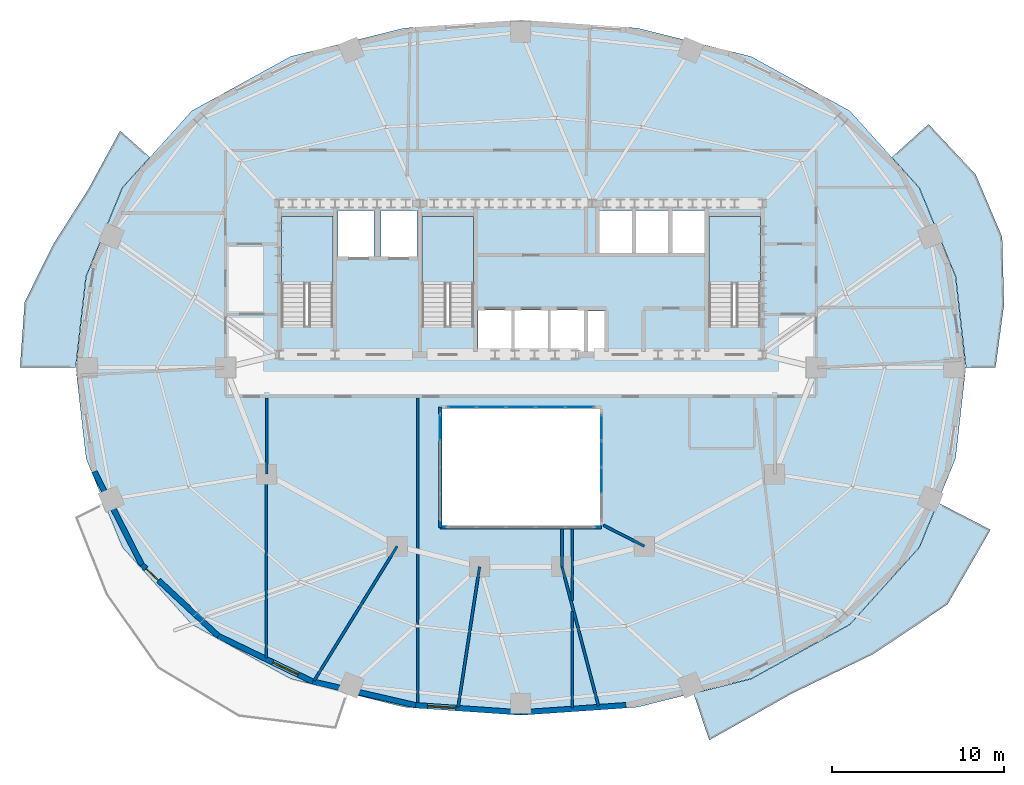
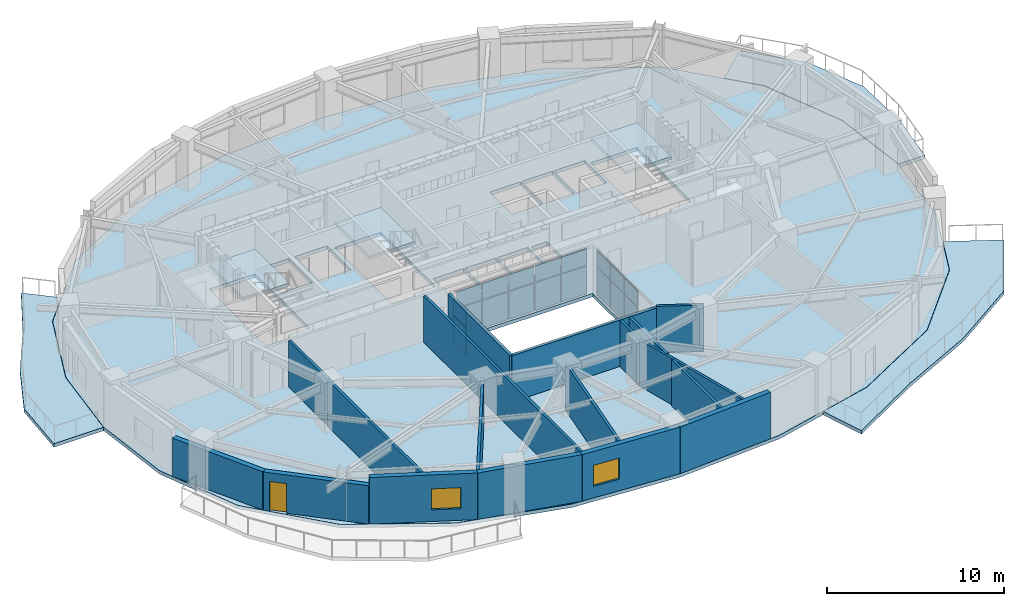
# One storey, part 5 of 11: 18 plates, 18 walls, 7 slabs, 2 windows, 1 door, 3 openings, 6 elements without a shape of their own.
"""IFC4 building model written with IfcOpenShell, lengths in metres."""

from ifc_helpers import new_model, si_unit, direction, frame, frame_2d, origin, origin_2d, place, context, subcontext, project, spatial, polyline, rectangle, outline, extrude, material, layer, layer_set, type_object, element, fill, aggregate, save


model = new_model("IFC4")

# Units and contexts
model_context = context("Model", 3, precision=1e-05, world=origin(), true_north=direction((0.0, 1.0)))
body_context = subcontext(model_context, "Body", "Model", "MODEL_VIEW")
ifc_project = project(units=[si_unit("LENGTHUNIT", "METRE"), si_unit("AREAUNIT", "SQUARE_METRE"), si_unit("VOLUMEUNIT", "CUBIC_METRE"), si_unit("PLANEANGLEUNIT", "RADIAN"), si_unit("MASSUNIT", "GRAM", prefix="KILO")], contexts=[model_context])

# Site, building, storey
site_placement = place(None, origin())
site = spatial("IfcSite", under=ifc_project, at=site_placement, CompositionType="ELEMENT")
building_placement = place(site_placement, origin())
building = spatial("IfcBuilding", under=site, at=building_placement, Name="Haldorwick Loom Tower", CompositionType="ELEMENT")
storey_placement = place(building_placement, frame((0.0, 0.0, 164.800048828125)))
storey = spatial("IfcBuildingStorey", under=building, at=storey_placement, Name="L44", CompositionType="ELEMENT", Elevation=164.800048828125)

# Curtain wall, plates
ifc_material_1 = material(Name="Thermally Broken Anodized Aluminium Curtain Wall Framing", Category="aluminium")
curtain_wall_type = type_object("IfcCurtainWallType", Name="ARC-CW-03", PredefinedType="NOTDEFINED", material=ifc_material_1)
curtain_wall_1_placement = place(storey_placement, origin())
curtain_wall_1 = element("IfcCurtainWall", 1, at=curtain_wall_1_placement, inside=storey, type_object=curtain_wall_type, Name="L44 Atrium Glazed Screen N", PredefinedType="NOTDEFINED")
ifc_material_2 = material(Name="Triple-Glazed Low-E Argon Insulated Glazing Unit", Category="glass")
ifc_layer_1 = layer(ifc_material_2, 0.04296875, Name="Triple-Glazed Low-E Argon Insulated Glazing Unit", Category="glass")
ifc_layer_set_1 = layer_set([ifc_layer_1], Name="Triple-Glazed Low-E Argon Insulated Glazing Unit")
plate_type = type_object("IfcPlateType", Name="ARC-CWP-03", PredefinedType="CURTAIN_PANEL", material=ifc_layer_set_1)
plate_1_placement = place(storey_placement, frame((32.576416015625, 23.699951171875, 0.06591796875), z_axis=(0.0, 0.0, 1.0), x_axis=(1.0, 0.0, 0.0)))
plate_1 = element("IfcPlate", 2, at=plate_1_placement, type_object=plate_type, Name="CW-03 panel 1.1", PredefinedType="CURTAIN_PANEL", context=body_context, shape_type="SweptSolid", body=[
    extrude(rectangle(XDim=1.62109375, YDim=0.04296875, at=origin_2d()), origin(), (0.0, 0.0, 1.0), 1.90087890625),
])
plate_2_placement = place(storey_placement, frame((32.576416015625, 23.699951171875, 2.03271484375), z_axis=(0.0, 0.0, 1.0), x_axis=(1.0, 0.0, 0.0)))
plate_2 = element("IfcPlate", 3, at=plate_2_placement, type_object=plate_type, Name="CW-03 panel 1.2", PredefinedType="CURTAIN_PANEL", context=body_context, shape_type="SweptSolid", body=[
    extrude(rectangle(XDim=1.62109375, YDim=0.04296875, at=origin_2d()), origin(), (0.0, 0.0, 1.0), 1.111083984375),
])
plate_3_placement = place(storey_placement, frame((34.280029296875, 23.699951171875, 0.06591796875), z_axis=(0.0, 0.0, 1.0), x_axis=(1.0, 0.0, 0.0)))
plate_3 = element("IfcPlate", 4, at=plate_3_placement, type_object=plate_type, Name="CW-03 panel 2.1", PredefinedType="CURTAIN_PANEL", context=body_context, shape_type="SweptSolid", body=[
    extrude(rectangle(XDim=1.654052734375, YDim=0.04296875, at=origin_2d()), origin(), (0.0, 0.0, 1.0), 1.90087890625),
])
plate_4_placement = place(storey_placement, frame((34.280029296875, 23.699951171875, 2.03271484375), z_axis=(0.0, 0.0, 1.0), x_axis=(1.0, 0.0, 0.0)))
plate_4 = element("IfcPlate", 5, at=plate_4_placement, type_object=plate_type, Name="CW-03 panel 2.2", PredefinedType="CURTAIN_PANEL", context=body_context, shape_type="SweptSolid", body=[
    extrude(rectangle(XDim=1.654052734375, YDim=0.04296875, at=origin_2d()), origin(), (0.0, 0.0, 1.0), 1.111083984375),
])
plate_5_placement = place(storey_placement, frame((36.0, 23.699951171875, 0.06591796875), z_axis=(0.0, 0.0, 1.0), x_axis=(1.0, 0.0, 0.0)))
plate_5 = element("IfcPlate", 6, at=plate_5_placement, type_object=plate_type, Name="CW-03 panel 3.1", PredefinedType="CURTAIN_PANEL", context=body_context, shape_type="SweptSolid", body=[
    extrude(rectangle(XDim=1.654052734375, YDim=0.04296875, at=origin_2d()), origin(), (0.0, 0.0, 1.0), 1.90087890625),
])
plate_6_placement = place(storey_placement, frame((36.0, 23.699951171875, 2.03271484375), z_axis=(0.0, 0.0, 1.0), x_axis=(1.0, 0.0, 0.0)))
plate_6 = element("IfcPlate", 7, at=plate_6_placement, type_object=plate_type, Name="CW-03 panel 3.2", PredefinedType="CURTAIN_PANEL", context=body_context, shape_type="SweptSolid", body=[
    extrude(rectangle(XDim=1.654052734375, YDim=0.04296875, at=origin_2d()), origin(), (0.0, 0.0, 1.0), 1.111083984375),
])
plate_7_placement = place(storey_placement, frame((37.719970703125, 23.699951171875, 0.06591796875), z_axis=(0.0, 0.0, 1.0), x_axis=(1.0, 0.0, 0.0)))
plate_7 = element("IfcPlate", 8, at=plate_7_placement, type_object=plate_type, Name="CW-03 panel 4.1", PredefinedType="CURTAIN_PANEL", context=body_context, shape_type="SweptSolid", body=[
    extrude(rectangle(XDim=1.654052734375, YDim=0.04296875, at=origin_2d()), origin(), (0.0, 0.0, 1.0), 1.90087890625),
])
plate_8_placement = place(storey_placement, frame((37.719970703125, 23.699951171875, 2.03271484375), z_axis=(0.0, 0.0, 1.0), x_axis=(1.0, 0.0, 0.0)))
plate_8 = element("IfcPlate", 9, at=plate_8_placement, type_object=plate_type, Name="CW-03 panel 4.2", PredefinedType="CURTAIN_PANEL", context=body_context, shape_type="SweptSolid", body=[
    extrude(rectangle(XDim=1.654052734375, YDim=0.04296875, at=origin_2d()), origin(), (0.0, 0.0, 1.0), 1.111083984375),
])
plate_9_placement = place(storey_placement, frame((39.423583984375, 23.699951171875, 0.06591796875), z_axis=(0.0, 0.0, 1.0), x_axis=(1.0, 0.0, 0.0)))
plate_9 = element("IfcPlate", 10, at=plate_9_placement, type_object=plate_type, Name="CW-03 panel 5.1", PredefinedType="CURTAIN_PANEL", context=body_context, shape_type="SweptSolid", body=[
    extrude(rectangle(XDim=1.62109375, YDim=0.04296875, at=origin_2d()), origin(), (0.0, 0.0, 1.0), 1.90087890625),
])
plate_10_placement = place(storey_placement, frame((39.423583984375, 23.699951171875, 2.03271484375), z_axis=(0.0, 0.0, 1.0), x_axis=(1.0, 0.0, 0.0)))
plate_10 = element("IfcPlate", 11, at=plate_10_placement, type_object=plate_type, Name="CW-03 panel 5.2", PredefinedType="CURTAIN_PANEL", context=body_context, shape_type="SweptSolid", body=[
    extrude(rectangle(XDim=1.62109375, YDim=0.04296875, at=origin_2d()), origin(), (0.0, 0.0, 1.0), 1.111083984375),
])
aggregate(curtain_wall_1, [plate_1, plate_2, plate_3, plate_4, plate_5, plate_6, plate_7, plate_8, plate_9, plate_10])

curtain_wall_2_placement = place(storey_placement, origin())
curtain_wall_2 = element("IfcCurtainWall", 12, at=curtain_wall_2_placement, inside=storey, type_object=curtain_wall_type, Name="L44 Atrium Glazed Screen W", PredefinedType="NOTDEFINED")
plate_11_placement = place(storey_placement, frame((31.300048828125, 22.508544921875, 0.06591796875), z_axis=(0.0, 0.0, 1.0), x_axis=(0.0, 1.0, 0.0)))
plate_11 = element("IfcPlate", 13, at=plate_11_placement, type_object=plate_type, Name="CW-03 panel 4.1", PredefinedType="CURTAIN_PANEL", context=body_context, shape_type="SweptSolid", body=[
    extrude(rectangle(XDim=1.450927734375, YDim=0.04296875, at=origin_2d()), origin(), (0.0, 0.0, 1.0), 1.90087890625),
])
plate_12_placement = place(storey_placement, frame((31.300048828125, 22.508544921875, 2.03271484375), z_axis=(0.0, 0.0, 1.0), x_axis=(0.0, 1.0, 0.0)))
plate_12 = element("IfcPlate", 14, at=plate_12_placement, type_object=plate_type, Name="CW-03 panel 4.2", PredefinedType="CURTAIN_PANEL", context=body_context, shape_type="SweptSolid", body=[
    extrude(rectangle(XDim=1.450927734375, YDim=0.04296875, at=origin_2d()), origin(), (0.0, 0.0, 1.0), 1.111083984375),
])
aggregate(curtain_wall_2, [plate_11, plate_12])

curtain_wall_3_placement = place(storey_placement, origin())
curtain_wall_3 = element("IfcCurtainWall", 15, at=curtain_wall_3_placement, inside=storey, type_object=curtain_wall_type, Name="L44 Atrium Glazed Screen E", PredefinedType="NOTDEFINED")
plate_13_placement = place(storey_placement, frame((40.699951171875, 22.508544921875, 0.06591796875), z_axis=(0.0, 0.0, 1.0), x_axis=(0.0, -1.0, 0.0)))
plate_13 = element("IfcPlate", 16, at=plate_13_placement, type_object=plate_type, Name="CW-03 panel 1.1", PredefinedType="CURTAIN_PANEL", context=body_context, shape_type="SweptSolid", body=[
    extrude(rectangle(XDim=1.450927734375, YDim=0.04296875, at=origin_2d()), origin(), (0.0, 0.0, 1.0), 1.90087890625),
])
plate_14_placement = place(storey_placement, frame((40.699951171875, 22.508544921875, 2.03271484375), z_axis=(0.0, 0.0, 1.0), x_axis=(0.0, -1.0, 0.0)))
plate_14 = element("IfcPlate", 17, at=plate_14_placement, type_object=plate_type, Name="CW-03 panel 1.2", PredefinedType="CURTAIN_PANEL", context=body_context, shape_type="SweptSolid", body=[
    extrude(rectangle(XDim=1.450927734375, YDim=0.04296875, at=origin_2d()), origin(), (0.0, 0.0, 1.0), 1.111083984375),
])
plate_15_placement = place(storey_placement, frame((40.699951171875, 20.97509765625, 0.06591796875), z_axis=(0.0, 0.0, 1.0), x_axis=(0.0, -1.0, 0.0)))
plate_15 = element("IfcPlate", 18, at=plate_15_placement, type_object=plate_type, Name="CW-03 panel 2.1", PredefinedType="CURTAIN_PANEL", context=body_context, shape_type="SweptSolid", body=[
    extrude(rectangle(XDim=1.48388671875, YDim=0.04296875, at=origin_2d()), origin(), (0.0, 0.0, 1.0), 1.90087890625),
])
plate_16_placement = place(storey_placement, frame((40.699951171875, 20.97509765625, 2.03271484375), z_axis=(0.0, 0.0, 1.0), x_axis=(0.0, -1.0, 0.0)))
plate_16 = element("IfcPlate", 19, at=plate_16_placement, type_object=plate_type, Name="CW-03 panel 2.2", PredefinedType="CURTAIN_PANEL", context=body_context, shape_type="SweptSolid", body=[
    extrude(rectangle(XDim=1.48388671875, YDim=0.04296875, at=origin_2d()), origin(), (0.0, 0.0, 1.0), 1.111083984375),
])
plate_17_placement = place(storey_placement, frame((40.699951171875, 19.425048828125, 0.06591796875), z_axis=(0.0, 0.0, 1.0), x_axis=(0.0, -1.0, 0.0)))
plate_17 = element("IfcPlate", 20, at=plate_17_placement, type_object=plate_type, Name="CW-03 panel 3.1", PredefinedType="CURTAIN_PANEL", context=body_context, shape_type="SweptSolid", body=[
    extrude(rectangle(XDim=1.48388671875, YDim=0.04296875, at=origin_2d()), origin(), (0.0, 0.0, 1.0), 1.90087890625),
])
plate_18_placement = place(storey_placement, frame((40.699951171875, 19.425048828125, 2.03271484375), z_axis=(0.0, 0.0, 1.0), x_axis=(0.0, -1.0, 0.0)))
plate_18 = element("IfcPlate", 21, at=plate_18_placement, type_object=plate_type, Name="CW-03 panel 3.2", PredefinedType="CURTAIN_PANEL", context=body_context, shape_type="SweptSolid", body=[
    extrude(rectangle(XDim=1.48388671875, YDim=0.04296875, at=origin_2d()), origin(), (0.0, 0.0, 1.0), 1.111083984375),
])
aggregate(curtain_wall_3, [plate_13, plate_14, plate_15, plate_16, plate_17, plate_18])

# Slabs
ifc_material_3 = material(Name="Concrete C40 (40 MPa)", Category="concrete")
ifc_layer_2 = layer(ifc_material_3, 0.239990234375, Name="Concrete C40 (40 MPa)", Category="concrete")
ifc_layer_set_2 = layer_set([ifc_layer_2], Name="Concrete C40 (40 MPa)")
slab_type_1 = type_object("IfcSlabType", Name="STR-SLB-BAL240", PredefinedType="FLOOR", material=ifc_layer_set_2)
slab_1_placement = place(storey_placement, frame((0.0, 0.0, -0.239990234375)))
element("IfcSlab", 22, at=slab_1_placement, inside=storey, type_object=slab_type_1, Name="L44 Sinusoidal Balcony Terrace BAL_SE", PredefinedType="FLOOR", context=body_context, shape_type="SweptSolid", body=[
    extrude(outline(polyline([(60.2841796875, 18.141357421875), (59.216064453125, 15.530517578125), (59.21533203125, 15.529296875), (59.21484375, 15.528076171875), (59.214111328125, 15.527099609375), (59.213134765625, 15.526123046875), (55.16162109375, 11.031005859375), (55.16064453125, 11.02978515625), (55.1591796875, 11.028564453125), (55.15771484375, 11.02783203125), (49.40283203125, 7.863037109375), (49.40185546875, 7.8623046875), (49.400634765625, 7.86181640625), (49.3994140625, 7.861572265625), (46.0595703125, 7.02783203125), (46.9736328125, 4.302490234375), (51.74560546875, 7.0), (56.504150390625, 9.30810546875), (60.846435546875, 12.208251953125), (63.35400390625, 16.555908203125), (60.2841796875, 18.141357421875)])), origin(), (0.0, 0.0, 1.0), 0.239990234375),
])
slab_2_placement = place(storey_placement, frame((0.0, 0.0, -0.239990234375)))
element("IfcSlab", 23, at=slab_2_placement, inside=storey, type_object=slab_type_1, Name="L44 Sinusoidal Balcony Terrace BAL_WNW", PredefinedType="FLOOR", context=body_context, shape_type="SweptSolid", body=[
    extrude(outline(polyline([(10.068115234375, 26.0), (10.068115234375, 26.001708984375), (10.669677734375, 31.30029296875), (10.669921875, 31.3017578125), (10.670166015625, 31.302978515625), (10.670654296875, 31.30419921875), (12.783935546875, 36.469482421875), (12.78466796875, 36.470703125), (12.78515625, 36.4716796875), (12.785888671875, 36.472900390625), (12.786865234375, 36.473876953125), (14.389892578125, 38.25244140625), (12.66259765625, 39.794677734375), (10.810791015625, 36.3857421875), (8.81103515625, 33.25048828125), (7.10693359375, 29.826416015625), (6.8330078125, 26.0), (10.068115234375, 26.0)])), origin(), (0.0, 0.0, 1.0), 0.239990234375),
])
slab_3_placement = place(storey_placement, frame((0.0, 0.0, -0.239990234375)))
element("IfcSlab", 24, at=slab_3_placement, inside=storey, type_object=slab_type_1, Name="L44 Sinusoidal Balcony Terrace BAL_ENE", PredefinedType="FLOOR", context=body_context, shape_type="SweptSolid", body=[
    extrude(outline(polyline([(57.60986328125, 38.2529296875), (59.213134765625, 36.473876953125), (59.214111328125, 36.472900390625), (59.21484375, 36.4716796875), (59.21533203125, 36.470703125), (59.216064453125, 36.469482421875), (61.329345703125, 31.30419921875), (61.329833984375, 31.302978515625), (61.330078125, 31.3017578125), (61.330322265625, 31.30029296875), (61.931884765625, 26.001708984375), (61.931884765625, 26.0), (63.6435546875, 26.0), (64.139892578125, 29.673583984375), (64.032470703125, 33.601318359375), (62.494384765625, 37.237060546875), (59.746337890625, 40.1748046875), (57.60986328125, 38.2529296875)])), origin(), (0.0, 0.0, 1.0), 0.239990234375),
])

# Stair, slab
stair_type = type_object("IfcStairType", Name="STR-STR-CORE", PredefinedType="HALF_TURN_STAIR", material=ifc_material_3)
stair_1_placement = place(storey_placement, origin())
stair_1 = element("IfcStair", 25, at=stair_1_placement, inside=storey, type_object=stair_type, Name="L44 Exit Stair ST-01", PredefinedType="HALF_TURN_STAIR")
ifc_layer_3 = layer(ifc_material_3, 0.199951171875, Name="Concrete C40 (40 MPa)", Category="concrete")
ifc_layer_set_3 = layer_set([ifc_layer_3], Name="Concrete C40 (40 MPa)")
slab_type_2 = type_object("IfcSlabType", Name="STR-SLB-LAND200", PredefinedType="LANDING", material=ifc_layer_set_3)
slab_4_placement = place(storey_placement, frame((0.0, 0.0, 1.52490234375)))
slab_4 = element("IfcSlab", 26, at=slab_4_placement, type_object=slab_type_2, Name="ST-01 landing 1", PredefinedType="LANDING", context=body_context, shape_type="SweptSolid", body=[
    extrude(outline(polyline([(25.050048828125, 30.919921875), (25.050048828125, 34.800048828125), (22.050048828125, 34.800048828125), (22.050048828125, 30.919921875), (25.050048828125, 30.919921875)])), origin(), (0.0, 0.0, 1.0), 0.199951171875),
])
aggregate(stair_1, [slab_4])

stair_2_placement = place(storey_placement, origin())
stair_2 = element("IfcStair", 27, at=stair_2_placement, inside=storey, type_object=stair_type, Name="L44 Exit Stair ST-02", PredefinedType="HALF_TURN_STAIR")
slab_5_placement = place(storey_placement, frame((0.0, 0.0, 1.52490234375)))
slab_5 = element("IfcSlab", 28, at=slab_5_placement, type_object=slab_type_2, Name="ST-02 landing 1", PredefinedType="LANDING", context=body_context, shape_type="SweptSolid", body=[
    extrude(outline(polyline([(49.949951171875, 30.919921875), (49.949951171875, 34.800048828125), (46.949951171875, 34.800048828125), (46.949951171875, 30.919921875), (49.949951171875, 30.919921875)])), origin(), (0.0, 0.0, 1.0), 0.199951171875),
])
aggregate(stair_2, [slab_5])

stair_3_placement = place(storey_placement, origin())
stair_3 = element("IfcStair", 29, at=stair_3_placement, inside=storey, type_object=stair_type, Name="L44 Exit Stair ST-03", PredefinedType="HALF_TURN_STAIR")
slab_6_placement = place(storey_placement, frame((0.0, 0.0, 1.52490234375)))
slab_6 = element("IfcSlab", 30, at=slab_6_placement, type_object=slab_type_2, Name="ST-03 landing 1", PredefinedType="LANDING", context=body_context, shape_type="SweptSolid", body=[
    extrude(outline(polyline([(33.25, 30.919921875), (33.25, 34.800048828125), (30.25, 34.800048828125), (30.25, 30.919921875), (33.25, 30.919921875)])), origin(), (0.0, 0.0, 1.0), 0.199951171875),
])
aggregate(stair_3, [slab_6])

# Slab
ifc_layer_4 = layer(ifc_material_3, 0.239990234375, Name="Concrete C40 (40 MPa)", Category="concrete")
ifc_layer_set_4 = layer_set([ifc_layer_4], Name="Concrete C40 (40 MPa)")
slab_type_3 = type_object("IfcSlabType", Name="STR-SLB-RES240", PredefinedType="FLOOR", material=ifc_layer_set_4)
slab_7_placement = place(storey_placement, frame((0.0, 0.0, -0.239990234375)))
element("IfcSlab", 31, at=slab_7_placement, inside=storey, type_object=slab_type_3, Name="L44 Residential Structural Floor Slab", PredefinedType="FLOOR", context=body_context, shape_type="SweptSolid", body=[
    extrude(outline(polyline([(55.150634765625, 11.041015625), (59.2021484375, 15.5361328125), (61.3154296875, 20.701416015625), (61.9169921875, 26.0), (61.3154296875, 31.298583984375), (59.2021484375, 36.4638671875), (55.150634765625, 40.958984375), (49.395751953125, 44.123779296875), (42.783203125, 45.774658203125), (36.0, 46.24462890625), (29.216796875, 45.774658203125), (22.604248046875, 44.123779296875), (16.849365234375, 40.958984375), (12.7978515625, 36.4638671875), (10.6845703125, 31.298583984375), (10.0830078125, 26.0), (10.6845703125, 20.701416015625), (12.7978515625, 15.5361328125), (16.849365234375, 11.041015625), (22.604248046875, 7.876220703125), (29.216796875, 6.225341796875), (36.0, 5.75537109375), (42.783203125, 6.225341796875), (49.395751953125, 7.876220703125), (55.150634765625, 11.041015625)]), holes=[polyline([(31.39990234375, 16.800048828125), (31.39990234375, 23.60009765625), (40.60009765625, 23.60009765625), (40.60009765625, 16.800048828125), (31.39990234375, 16.800048828125)]), polyline([(33.5, 26.85009765625), (33.5, 29.35009765625), (35.5, 29.35009765625), (35.5, 26.85009765625), (33.5, 26.85009765625)]), polyline([(35.60009765625, 26.85009765625), (35.60009765625, 29.35009765625), (37.60009765625, 29.35009765625), (37.60009765625, 26.85009765625), (35.60009765625, 26.85009765625)]), polyline([(23.6201171875, 28.39990234375), (22.050048828125, 28.39990234375), (22.050048828125, 34.800048828125), (25.050048828125, 34.800048828125), (25.050048828125, 28.639892578125), (23.6201171875, 28.639892578125), (23.6201171875, 28.39990234375)]), polyline([(30.25, 28.39990234375), (30.25, 34.800048828125), (33.25, 34.800048828125), (33.25, 28.639892578125), (31.820068359375, 28.639892578125), (31.820068359375, 28.39990234375), (30.25, 28.39990234375)]), polyline([(25.35009765625, 32.449951171875), (25.35009765625, 35.14990234375), (27.449951171875, 35.14990234375), (27.449951171875, 32.449951171875), (25.35009765625, 32.449951171875)]), polyline([(29.949951171875, 32.449951171875), (27.85009765625, 32.449951171875), (27.85009765625, 35.14990234375), (29.949951171875, 35.14990234375), (29.949951171875, 32.449951171875)]), polyline([(37.699951171875, 26.85009765625), (37.699951171875, 29.35009765625), (39.699951171875, 29.35009765625), (39.699951171875, 26.85009765625), (37.699951171875, 26.85009765625)]), polyline([(39.89990234375, 26.89990234375), (39.89990234375, 29.300048828125), (40.89990234375, 29.300048828125), (40.89990234375, 26.89990234375), (39.89990234375, 26.89990234375)]), polyline([(46.949951171875, 28.39990234375), (46.949951171875, 34.800048828125), (49.949951171875, 34.800048828125), (49.949951171875, 28.639892578125), (48.52001953125, 28.639892578125), (48.52001953125, 28.39990234375), (46.949951171875, 28.39990234375)]), polyline([(40.550048828125, 32.64990234375), (40.550048828125, 35.14990234375), (42.550048828125, 35.14990234375), (42.550048828125, 32.64990234375), (40.550048828125, 32.64990234375)]), polyline([(42.64990234375, 32.64990234375), (42.64990234375, 35.14990234375), (44.64990234375, 35.14990234375), (44.64990234375, 32.64990234375), (42.64990234375, 32.64990234375)]), polyline([(44.75, 32.64990234375), (44.75, 35.14990234375), (46.75, 35.14990234375), (46.75, 32.64990234375), (44.75, 32.64990234375)])]), origin(), (0.0, 0.0, 1.0), 0.239990234375),
])

# Wall
ifc_material_4 = material(Name="Pressed Clay Face Brick and Insulated Masonry Backup Assembly", Category="masonry")
ifc_layer_5 = layer(ifc_material_4, 0.320068359375, Name="Pressed Clay Face Brick and Insulated Masonry Backup Assembly", Category="masonry")
ifc_layer_set_5 = layer_set([ifc_layer_5], Name="Pressed Clay Face Brick and Insulated Masonry Backup Assembly")
wall_type_1 = type_object("IfcWallType", Name="ARC-WL-EXT320", PredefinedType="STANDARD", material=ifc_layer_set_5)
wall_1_placement = place(storey_placement, frame((11.1650390625, 19.944580078125, 0.0), z_axis=(0.0, 0.0, 1.0), x_axis=(0.453172129629, -0.89142303141, 0.0)))
element("IfcWall", 32, at=wall_1_placement, inside=storey, type_object=wall_type_1, Name="L44 Brick Pier and Spandrel Wall 14", PredefinedType="STANDARD", context=body_context, shape_type="SweptSolid", body=[
    extrude(rectangle(XDim=6.086669921875, YDim=0.320068359375, at=frame_2d((3.04345703125, 0.0))), origin(), (0.0, 0.0, 1.0), 2.640869140625),
])

# Wall, opening, door
wall_2_placement = place(storey_placement, frame((13.92333984375, 14.518798828125, 0.0), z_axis=(0.0, 0.0, 1.0), x_axis=(0.732001571644, -0.681302942244, 0.0)))
wall_2 = element("IfcWall", 33, at=wall_2_placement, inside=storey, type_object=wall_type_1, Name="L44 Brick Pier and Spandrel Wall 15", PredefinedType="STANDARD", context=body_context, shape_type="SweptSolid", body=[
    extrude(rectangle(XDim=6.0869140625, YDim=0.320068359375, at=frame_2d((3.04345703125, 0.0))), origin(), (0.0, 0.0, 1.0), 2.640869140625),
])
opening_1_placement = place(wall_2_placement, frame((0.340087890625, 0.0, 0.0)))
opening_1 = element("IfcOpeningElement", 34, at=opening_1_placement, cuts=wall_2, Name="Opening D-BL10", PredefinedType="OPENING", context=body_context, shape_type="SweptSolid", body=[
    extrude(rectangle(XDim=1.0, YDim=2.0400390625, at=frame_2d((0.5, 1.02001953125))), frame((0.0, 0.169921875, 0.0), z_axis=(0.0, -1.0, 0.0), x_axis=(1.0, 0.0, 0.0)), (0.0, 0.0, 1.0), 0.340087890625),
])
door_type = type_object("IfcDoorType", Name="ARC-DR-BAL100", OperationType="NOTDEFINED", PredefinedType="DOOR", material=ifc_material_1)
door_placement = place(opening_1_placement, origin())
door = element("IfcDoor", 35, at=door_placement, inside=storey, type_object=door_type, Name="L44 Outdoor Terrace Door SLB-L44-BAL_SW", OperationType="SINGLE_SWING_LEFT", OverallHeight=2.0400390625, OverallWidth=1.0, PredefinedType="DOOR", context=body_context, shape_type="SweptSolid", body=[
    extrude(rectangle(XDim=1.0, YDim=2.0400390625, at=frame_2d((0.5, 1.02001953125))), frame((0.0, 0.02490234375, 0.0), z_axis=(0.0, -1.0, 0.0), x_axis=(1.0, 0.0, 0.0)), (0.0, 0.0, 1.0), 0.050048828125),
])
fill(opening_1, door)

# Wall, opening, window
wall_3_placement = place(storey_placement, frame((18.37890625, 10.371826171875, 0.0), z_axis=(0.0, 0.0, 1.0), x_axis=(0.900472429216, -0.43491309962, 0.0)))
wall_3 = element("IfcWall", 36, at=wall_3_placement, inside=storey, type_object=wall_type_1, Name="L44 Brick Pier and Spandrel Wall 16", PredefinedType="STANDARD", context=body_context, shape_type="SweptSolid", body=[
    extrude(rectangle(XDim=6.1181640625, YDim=0.320068359375, at=frame_2d((3.05908203125, 0.0))), origin(), (0.0, 0.0, 1.0), 3.2099609375),
])
opening_2_placement = place(wall_3_placement, frame((3.527099609375, 0.0, 0.800048828125)))
opening_2 = element("IfcOpeningElement", 37, at=opening_2_placement, cuts=wall_3, Name="Opening W-01B", PredefinedType="OPENING", context=body_context, shape_type="SweptSolid", body=[
    extrude(rectangle(XDim=1.64990234375, YDim=1.449951171875, at=frame_2d((0.824951171875, 0.72509765625))), frame((0.0, 0.169921875, 0.0), z_axis=(0.0, -1.0, 0.0), x_axis=(1.0, 0.0, 0.0)), (0.0, 0.0, 1.0), 0.340087890625),
])
window_type = type_object("IfcWindowType", Name="ARC-WIN-W165", PartitioningType="SINGLE_PANEL", PredefinedType="WINDOW", material=ifc_material_2)
window_1_placement = place(opening_2_placement, origin())
window_1 = element("IfcWindow", 38, at=window_1_placement, inside=storey, type_object=window_type, Name="L44 Deep-Set Zone 7A Window 16", OverallHeight=1.449951171875, OverallWidth=1.64990234375, PartitioningType="SINGLE_PANEL", PredefinedType="WINDOW", context=body_context, shape_type="SweptSolid", body=[
    extrude(rectangle(XDim=1.64990234375, YDim=1.449951171875, at=frame_2d((0.824951171875, 0.72509765625))), frame((0.0, 0.030029296875, 0.0), z_axis=(0.0, -1.0, 0.0), x_axis=(1.0, 0.0, 0.0)), (0.0, 0.0, 1.0), 0.06005859375),
])
fill(opening_2, window_1)

# Wall
wall_4_placement = place(storey_placement, frame((23.88818359375, 7.7109375, 0.0), z_axis=(0.0, 0.0, 1.0), x_axis=(0.974593223547, -0.223982250674, 0.0)))
element("IfcWall", 39, at=wall_4_placement, inside=storey, type_object=wall_type_1, Name="L44 Brick Pier and Spandrel Wall 17", PredefinedType="STANDARD", context=body_context, shape_type="SweptSolid", body=[
    extrude(rectangle(XDim=6.138916015625, YDim=0.320068359375, at=frame_2d((3.0693359375, 0.0))), origin(), (0.0, 0.0, 1.0), 3.2099609375),
])

# Wall, opening, window
wall_5_placement = place(storey_placement, frame((29.87109375, 6.3359375, 0.0), z_axis=(0.0, 0.0, 1.0), x_axis=(0.997652942988, -0.068473391522, 0.0)))
wall_5 = element("IfcWall", 40, at=wall_5_placement, inside=storey, type_object=wall_type_1, Name="L44 Brick Pier and Spandrel Wall 18", PredefinedType="STANDARD", context=body_context, shape_type="SweptSolid", body=[
    extrude(rectangle(XDim=6.143310546875, YDim=0.320068359375, at=frame_2d((3.07177734375, 0.0))), origin(), (0.0, 0.0, 1.0), 3.2099609375),
])
opening_3_placement = place(wall_5_placement, frame((0.697509765625, 0.0, 0.800048828125)))
opening_3 = element("IfcOpeningElement", 41, at=opening_3_placement, cuts=wall_5, Name="Opening W-01B", PredefinedType="OPENING", context=body_context, shape_type="SweptSolid", body=[
    extrude(rectangle(XDim=1.64990234375, YDim=1.449951171875, at=frame_2d((0.824951171875, 0.72509765625))), frame((0.0, 0.169921875, 0.0), z_axis=(0.0, -1.0, 0.0), x_axis=(1.0, 0.0, 0.0)), (0.0, 0.0, 1.0), 0.340087890625),
])
window_2_placement = place(opening_3_placement, origin())
window_2 = element("IfcWindow", 42, at=window_2_placement, inside=storey, type_object=window_type, Name="L44 Deep-Set Zone 7A Window 18", OverallHeight=1.449951171875, OverallWidth=1.64990234375, PartitioningType="SINGLE_PANEL", PredefinedType="WINDOW", context=body_context, shape_type="SweptSolid", body=[
    extrude(rectangle(XDim=1.64990234375, YDim=1.449951171875, at=frame_2d((0.824951171875, 0.72509765625))), frame((0.0, 0.030029296875, 0.0), z_axis=(0.0, -1.0, 0.0), x_axis=(1.0, 0.0, 0.0)), (0.0, 0.0, 1.0), 0.06005859375),
])
fill(opening_3, window_2)

# Walls
wall_6_placement = place(storey_placement, frame((36.0, 5.915283203125, 0.0), z_axis=(0.0, 0.0, 1.0), x_axis=(0.997652942988, 0.068473391522, 0.0)))
element("IfcWall", 43, at=wall_6_placement, inside=storey, type_object=wall_type_1, Name="L44 Brick Pier and Spandrel Wall 19", PredefinedType="STANDARD", context=body_context, shape_type="SweptSolid", body=[
    extrude(rectangle(XDim=6.143310546875, YDim=0.320068359375, at=frame_2d((3.07177734375, 0.0))), origin(), (0.0, 0.0, 1.0), 3.2099609375),
])
ifc_material_5 = material(Name="Fire-Rated Type X Gypsum Stud Assembly EI 60")
ifc_layer_6 = layer(ifc_material_5, 0.159912109375, Name="Fire-Rated Type X Gypsum Stud Assembly EI 60")
ifc_layer_set_6 = layer_set([ifc_layer_6], Name="Fire-Rated Type X Gypsum Stud Assembly EI 60")
wall_type_2 = type_object("IfcWallType", Name="ARC-WL-FIRE160", PredefinedType="PARTITIONING", material=ifc_layer_set_6)
wall_7_placement = place(storey_placement, frame((38.39990234375, 14.39990234375, 0.0), z_axis=(0.0, 0.0, 1.0), x_axis=(0.253580014621, -0.967314414337, 0.0)))
element("IfcWall", 44, at=wall_7_placement, inside=storey, type_object=wall_type_2, Name="L44 Residential Fire Partition L44-ICR-05", PredefinedType="PARTITIONING", context=body_context, shape_type="SweptSolid", body=[
    extrude(rectangle(XDim=8.3828125, YDim=0.159912109375, at=frame_2d((4.19140625, 0.0))), origin(), (0.0, 0.0, 1.0), 3.195068359375),
])
wall_8_placement = place(storey_placement, frame((33.60009765625, 14.39990234375, 0.0), z_axis=(0.0, 0.0, 1.0), x_axis=(-0.151084741361, -0.988520814615, 0.0)))
element("IfcWall", 45, at=wall_8_placement, inside=storey, type_object=wall_type_2, Name="L44 Residential Fire Partition L44-ICR-07", PredefinedType="PARTITIONING", context=body_context, shape_type="SweptSolid", body=[
    extrude(rectangle(XDim=8.263916015625, YDim=0.159912109375, at=frame_2d((4.1318359375, 0.0))), origin(), (0.0, 0.0, 1.0), 3.195068359375),
])
wall_9_placement = place(storey_placement, frame((28.800048828125, 15.60009765625, 0.0), z_axis=(0.0, 0.0, 1.0), x_axis=(-0.525389067154, -0.850862108755, 0.0)))
element("IfcWall", 46, at=wall_9_placement, inside=storey, type_object=wall_type_2, Name="L44 Residential Fire Partition L44-ICR-09", PredefinedType="PARTITIONING", context=body_context, shape_type="SweptSolid", body=[
    extrude(rectangle(XDim=9.212890625, YDim=0.159912109375, at=frame_2d((4.6064453125, 0.0))), origin(), (0.0, 0.0, 1.0), 3.195068359375),
])
wall_10_placement = place(storey_placement, frame((30.0, 6.392333984375, 0.0), z_axis=(0.0, 0.0, 1.0), x_axis=(0.0, 1.0, 0.0)))
element("IfcWall", 47, at=wall_10_placement, inside=storey, type_object=wall_type_2, Name="L44 Residential Fire Partition L44-SBP-0", PredefinedType="PARTITIONING", context=body_context, shape_type="SweptSolid", body=[
    extrude(rectangle(XDim=17.82470703125, YDim=0.159912109375, at=frame_2d((8.912353515625, 0.0))), origin(), (0.0, 0.0, 1.0), 3.195068359375),
])
wall_11_placement = place(storey_placement, frame((39.0, 6.186279296875, 0.0), z_axis=(0.0, 0.0, 1.0), x_axis=(0.0, 1.0, 0.0)))
element("IfcWall", 48, at=wall_11_placement, inside=storey, type_object=wall_type_2, Name="L44 Residential Fire Partition L44-SBP-1", PredefinedType="PARTITIONING", context=body_context, shape_type="SweptSolid", body=[
    extrude(rectangle(XDim=5.59765625, YDim=0.159912109375, at=frame_2d((2.798828125, 0.0))), origin(), (0.0, 0.0, 1.0), 3.195068359375),
])
wall_12_placement = place(storey_placement, frame((39.0, 12.4384765625, 0.0), z_axis=(0.0, 0.0, 1.0), x_axis=(0.0, 1.0, 0.0)))
element("IfcWall", 49, at=wall_12_placement, inside=storey, type_object=wall_type_2, Name="L44 Residential Fire Partition L44-SBP-1", PredefinedType="PARTITIONING", context=body_context, shape_type="SweptSolid", body=[
    extrude(rectangle(XDim=4.158447265625, YDim=0.159912109375, at=frame_2d((2.0791015625, 0.0))), origin(), (0.0, 0.0, 1.0), 3.195068359375),
])
wall_13_placement = place(storey_placement, frame((40.802978515625, 16.822021484375, 0.0), z_axis=(0.0, 0.0, 1.0), x_axis=(0.890915506237, -0.454169088278, 0.0)))
element("IfcWall", 50, at=wall_13_placement, inside=storey, type_object=wall_type_2, Name="L44 Residential Fire Partition L44-ICA-03", PredefinedType="PARTITIONING", context=body_context, shape_type="SweptSolid", body=[
    extrude(rectangle(XDim=2.6904296875, YDim=0.159912109375, at=frame_2d((1.34521484375, 0.0))), origin(), (0.0, 0.0, 1.0), 3.195068359375),
])
wall_14_placement = place(storey_placement, frame((38.39990234375, 16.596923828125, 0.0), z_axis=(0.0, 0.0, 1.0), x_axis=(0.0, -1.0, 0.0)))
element("IfcWall", 51, at=wall_14_placement, inside=storey, type_object=wall_type_2, Name="L44 Residential Fire Partition L44-ICA-04", PredefinedType="PARTITIONING", context=body_context, shape_type="SweptSolid", body=[
    extrude(rectangle(XDim=2.197021484375, YDim=0.159912109375, at=frame_2d((1.0986328125, 0.0))), origin(), (0.0, 0.0, 1.0), 3.195068359375),
])
wall_15_placement = place(storey_placement, frame((21.199951171875, 24.217041015625, 0.0), z_axis=(0.0, 0.0, 1.0), x_axis=(0.0, -1.0, 0.0)))
element("IfcWall", 52, at=wall_15_placement, inside=storey, type_object=wall_type_2, Name="L44 Residential Fire Partition L44-ICA-10", PredefinedType="PARTITIONING", context=body_context, shape_type="SweptSolid", body=[
    extrude(rectangle(XDim=4.4169921875, YDim=0.159912109375, at=frame_2d((2.20849609375, 0.0))), origin(), (0.0, 0.0, 1.0), 3.195068359375),
])
wall_16_placement = place(storey_placement, frame((21.168701171875, 19.760009765625, 0.0), z_axis=(0.0, 0.0, 1.0), x_axis=(0.0, -1.0, 0.0)))
element("IfcWall", 53, at=wall_16_placement, inside=storey, type_object=wall_type_2, Name="L44 Suite Split Wall", PredefinedType="PARTITIONING", context=body_context, shape_type="SweptSolid", body=[
    extrude(rectangle(XDim=10.663330078125, YDim=0.159912109375, at=frame_2d((5.33154296875, 0.0))), origin(), (0.0, 0.0, 1.0), 3.195068359375),
])
ifc_material_6 = material(Name="Fire-Rated Type X Gypsum Stud Assembly EI 120")
ifc_layer_7 = layer(ifc_material_6, 0.199951171875, Name="Fire-Rated Type X Gypsum Stud Assembly EI 120")
ifc_layer_set_7 = layer_set([ifc_layer_7], Name="Fire-Rated Type X Gypsum Stud Assembly EI 120")
wall_type_3 = type_object("IfcWallType", Name="ARC-WL-FIRE200", PredefinedType="PARTITIONING", material=ifc_layer_set_7)
wall_17_placement = place(storey_placement, frame((40.699951171875, 16.699951171875, 0.0), z_axis=(0.0, 0.0, 1.0), x_axis=(-1.0, 0.0, 0.0)))
element("IfcWall", 54, at=wall_17_placement, inside=storey, type_object=wall_type_3, Name="L44 Atrium Fire Enclosure Wall S", PredefinedType="PARTITIONING", context=body_context, shape_type="SweptSolid", body=[
    extrude(rectangle(XDim=9.39990234375, YDim=0.199951171875, at=frame_2d((4.699951171875, 0.0))), origin(), (0.0, 0.0, 1.0), 3.195068359375),
])
wall_18_placement = place(storey_placement, frame((31.300048828125, 16.699951171875, 0.0), z_axis=(0.0, 0.0, 1.0), x_axis=(0.0, 1.0, 0.0)))
element("IfcWall", 55, at=wall_18_placement, inside=storey, type_object=wall_type_3, Name="L44 Atrium Fire Enclosure Wall W", PredefinedType="PARTITIONING", context=body_context, shape_type="SweptSolid", body=[
    extrude(rectangle(XDim=7.0, YDim=0.199951171875, at=frame_2d((3.5, 0.0))), origin(), (0.0, 0.0, 1.0), 3.195068359375),
])

save(model, "model.ifc")
